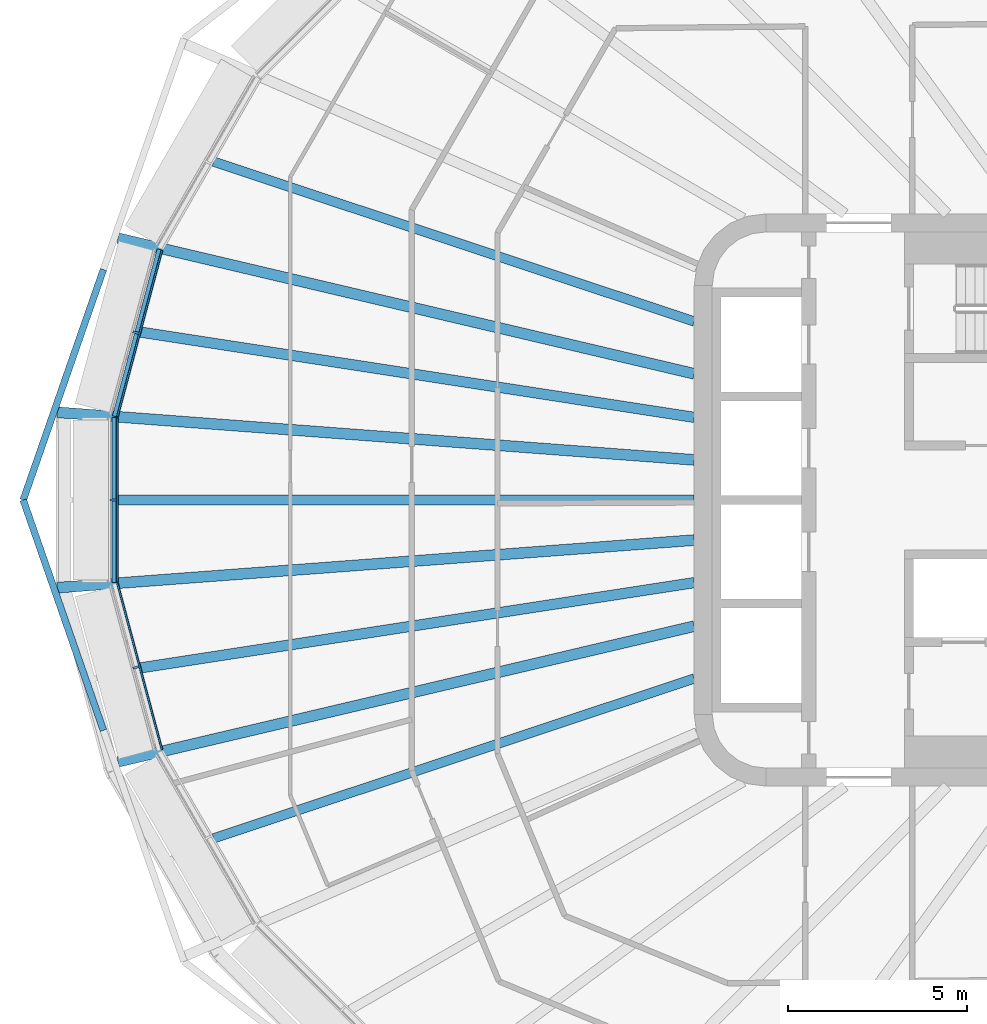
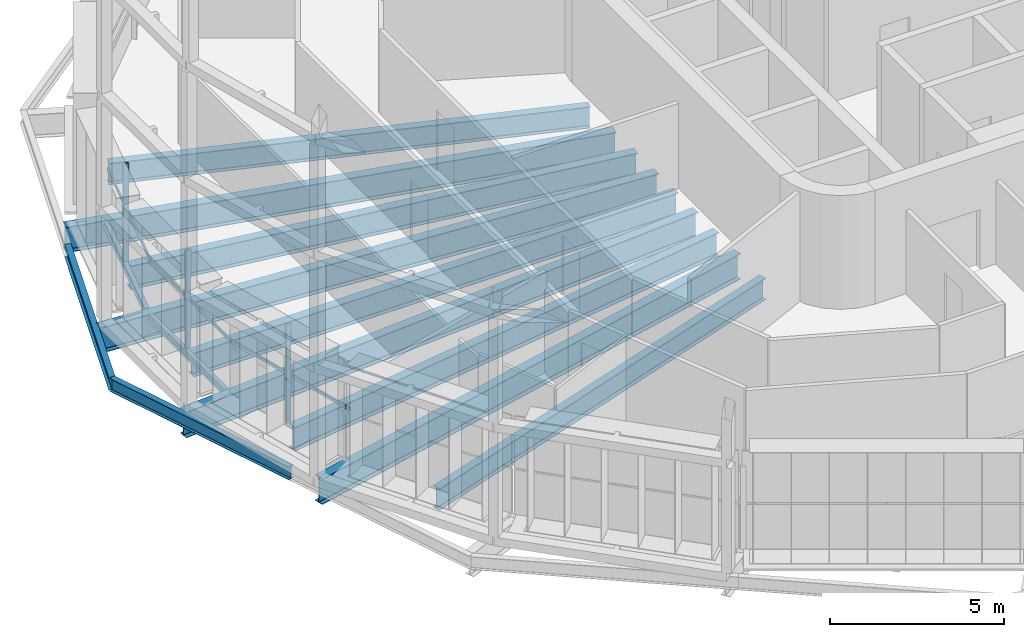
# One storey, part 3 of 24: 13 beams, 6 members, 3 elements without a shape of their own.
"""IFC4 building model written with IfcOpenShell, lengths in metres."""

from ifc_helpers import new_model, si_unit, direction, frame, origin, origin_2d, place, context, subcontext, project, spatial, rectangle, i_section, extrude, material, layer, layer_set, material_profile, profile_set, type_object, element, aggregate, save


model = new_model("IFC4")

# Units and contexts
model_context = context("Model", 3, precision=1e-05, world=origin(), true_north=direction((0.0, 1.0)))
body_context = subcontext(model_context, "Body", "Model", "MODEL_VIEW")
ifc_project = project(units=[si_unit("LENGTHUNIT", "METRE"), si_unit("AREAUNIT", "SQUARE_METRE"), si_unit("VOLUMEUNIT", "CUBIC_METRE"), si_unit("PLANEANGLEUNIT", "RADIAN"), si_unit("MASSUNIT", "GRAM", prefix="KILO")], contexts=[model_context])

# Site, building, storey
site_placement = place(None, origin())
site = spatial("IfcSite", under=ifc_project, at=site_placement, CompositionType="ELEMENT")
building_placement = place(site_placement, origin())
building = spatial("IfcBuilding", under=site, at=building_placement, Name="Sahrelin Media Tower", CompositionType="ELEMENT")
storey_placement = place(building_placement, frame((0.0, 0.0, 153.60009765625)))
storey = spatial("IfcBuildingStorey", under=building, at=storey_placement, Name="L31", CompositionType="ELEMENT", Elevation=153.60009765625)

# Beams
ifc_material_1 = material(Name="Steel S355", Category="steel")
ifc_material_profile_1 = material_profile(ifc_material_1, i_section(OverallWidth=0.14599609375, OverallDepth=0.25146484375, WebThickness=0.006103515625, FlangeThickness=0.008544921875, FilletRadius=0.007568359375, at=origin_2d()), Name="UB 254x146x31")
ifc_profile_set_1 = profile_set([ifc_material_profile_1], Name="Steel S355")
beam_type_1 = type_object("IfcBeamType", Name="Edge beam EB1", PredefinedType="BEAM", material=ifc_profile_set_1)
beam_1_placement = place(storey_placement, frame((-31.201416015625, -2.30859375, -0.27587890625), z_axis=(0.0, 1.0, 0.0), x_axis=(-1.0, 0.0, 0.0)))
element("IfcBeam", 1, at=beam_1_placement, inside=storey, type_object=beam_type_1, Name="Edge beam L31-13", PredefinedType="BEAM", context=body_context, shape_type="SweptSolid", body=[
    extrude(i_section(OverallWidth=0.14599609375, OverallDepth=0.25146484375, WebThickness=0.006103515625, FlangeThickness=0.008544921875, FilletRadius=0.007568359375, at=origin_2d()), origin(), (0.0, 0.0, 1.0), 4.6171875),
])
beam_2_placement = place(storey_placement, frame((-31.19775390625, 2.33740234375, -0.27587890625), z_axis=(0.258800908736, 0.965930685731, 0.0), x_axis=(-0.965930685731, 0.258800908736, 0.0)))
element("IfcBeam", 2, at=beam_2_placement, inside=storey, type_object=beam_type_1, Name="Edge beam L31-14", PredefinedType="BEAM", context=body_context, shape_type="SweptSolid", body=[
    extrude(i_section(OverallWidth=0.14599609375, OverallDepth=0.25146484375, WebThickness=0.006103515625, FlangeThickness=0.008544921875, FilletRadius=0.007568359375, at=origin_2d()), origin(), (0.0, 0.0, 1.0), 4.831787109375),
])

# Curtain wall, member
ifc_material_2 = material(Name="Champagne anodised aluminium 6063-T6", Category="aluminium")
ifc_layer = layer(ifc_material_2, 0.14990234375)
ifc_layer_set = layer_set([ifc_layer], Name="Tower ribbon curtain wall")
curtain_wall_type = type_object("IfcCurtainWallType", Name="Tower ribbon curtain wall", PredefinedType="NOTDEFINED", material=ifc_layer_set)
curtain_wall_1_placement = place(storey_placement, frame((-30.71728515625, 4.709716796875, 0.0), z_axis=(0.0, 0.0, 1.0), x_axis=(1.0, 0.0, 0.0)))
curtain_wall_1 = element("IfcCurtainWall", 3, at=curtain_wall_1_placement, inside=storey, type_object=curtain_wall_type, Name="L31:CW:L31-11", PredefinedType="NOTDEFINED")
ifc_material_profile_2 = material_profile(ifc_material_2, rectangle(XDim=0.06005859375, YDim=0.175048828125, at=origin_2d()), Name="Mullion 60x175")
ifc_profile_set_2 = profile_set([ifc_material_profile_2], Name="Champagne anodised aluminium 6063-T6")
member_type_1 = type_object("IfcMemberType", Name="Mullion 60x175 CW1B", PredefinedType="MULLION", material=ifc_profile_set_2)
member_1_placement = place(storey_placement, frame((-30.613525390625, 4.681884765625, 0.0), z_axis=(0.0, 0.0, 1.0), x_axis=(-0.258807244073, -0.965928988288, 0.0)))
member_1 = element("IfcMember", 4, at=member_1_placement, type_object=member_type_1, Name="L31:CWM:L31-11", PredefinedType="MULLION", context=body_context, shape_type="SweptSolid", body=[
    extrude(rectangle(XDim=0.06005859375, YDim=0.175048828125, at=origin_2d()), origin(), (0.0, 0.0, 1.0), 3.448486328125),
])

curtain_wall_2_placement = place(storey_placement, frame((-31.3515625, 0.0, 0.0), z_axis=(0.0, 0.0, 1.0), x_axis=(1.0, 0.0, 0.0)))
curtain_wall_2 = element("IfcCurtainWall", 5, at=curtain_wall_2_placement, inside=storey, type_object=curtain_wall_type, Name="L31:CW:L31-12", PredefinedType="NOTDEFINED")
member_2_placement = place(storey_placement, frame((-31.243896484375, 0.0, 0.0), z_axis=(0.0, 0.0, 1.0), x_axis=(0.0, -1.0, 0.0)))
member_2 = element("IfcMember", 6, at=member_2_placement, type_object=member_type_1, Name="L31:CWM:L31-12", PredefinedType="MULLION", context=body_context, shape_type="SweptSolid", body=[
    extrude(rectangle(XDim=0.06005859375, YDim=0.175048828125, at=origin_2d()), origin(), (0.0, 0.0, 1.0), 3.448486328125),
])

curtain_wall_3_placement = place(storey_placement, frame((-30.71728515625, -4.709716796875, 0.0), z_axis=(0.0, 0.0, 1.0), x_axis=(1.0, 0.0, 0.0)))
curtain_wall_3 = element("IfcCurtainWall", 7, at=curtain_wall_3_placement, inside=storey, type_object=curtain_wall_type, Name="L31:CW:L31-13", PredefinedType="NOTDEFINED")
member_3_placement = place(storey_placement, frame((-30.613525390625, -4.681884765625, 0.0), z_axis=(0.0, 0.0, 1.0), x_axis=(0.258807244073, -0.965928988288, 0.0)))
member_3 = element("IfcMember", 8, at=member_3_placement, type_object=member_type_1, Name="L31:CWM:L31-13", PredefinedType="MULLION", context=body_context, shape_type="SweptSolid", body=[
    extrude(rectangle(XDim=0.06005859375, YDim=0.175048828125, at=origin_2d()), origin(), (0.0, 0.0, 1.0), 3.448486328125),
])

# Beams
ifc_material_profile_3 = material_profile(ifc_material_1, i_section(OverallWidth=0.30322265625, OverallDepth=0.903076171875, WebThickness=0.01513671875, FlangeThickness=0.020263671875, FilletRadius=0.01904296875, at=origin_2d()), Name="UB 914x305x201")
ifc_profile_set_3 = profile_set([ifc_material_profile_3], Name="Steel S355")
beam_type_2 = type_object("IfcBeamType", Name="Radial primary beam PB11", PredefinedType="BEAM", material=ifc_profile_set_3)
beam_3_placement = place(storey_placement, frame((-15.0, 3.528564453125, -0.6015625), z_axis=(-0.973430706037, 0.228981790857, 0.0), x_axis=(-0.228981790857, -0.973430706037, 0.0)))
element("IfcBeam", 9, at=beam_3_placement, inside=storey, type_object=beam_type_2, Name="Radial beam L31-11", PredefinedType="BEAM", context=body_context, shape_type="SweptSolid", body=[
    extrude(i_section(OverallWidth=0.30322265625, OverallDepth=0.903076171875, WebThickness=0.01513671875, FlangeThickness=0.020263671875, FilletRadius=0.01904296875, at=origin_2d()), origin(), (0.0, 0.0, 1.0), 16.553955078125),
])
for number, where, z_axis, x_axis, name in (
    (10, (-15.0, 1.12109375, -0.6015625), (-0.997219385558, 0.074521789215, 0.0), (-0.074521789215, -0.997219385558, 0.0), "Radial beam L31-12"),
    (11, (-15.0, -1.12109375, -0.6015625), (-0.997219385558, -0.074521789215, 0.0), (0.074521789215, -0.997219385558, 0.0), "Radial beam L31-13"),
):
    element("IfcBeam", number, at=place(storey_placement, frame(where, z_axis=z_axis, x_axis=x_axis)), inside=storey, type_object=beam_type_2, Name=name, PredefinedType="BEAM", context=body_context, shape_type="SweptSolid", body=[
        extrude(i_section(OverallWidth=0.30322265625, OverallDepth=0.903076171875, WebThickness=0.01513671875, FlangeThickness=0.020263671875, FilletRadius=0.01904296875, at=origin_2d()), origin(), (0.0, 0.0, 1.0), 17.85791015625),
    ])
beam_4_placement = place(storey_placement, frame((-15.0, -3.528564453125, -0.6015625), z_axis=(-0.973430706037, -0.228981790857, 0.0), x_axis=(0.228981790857, -0.973430706037, 0.0)))
element("IfcBeam", 12, at=beam_4_placement, inside=storey, type_object=beam_type_2, Name="Radial beam L31-14", PredefinedType="BEAM", context=body_context, shape_type="SweptSolid", body=[
    extrude(i_section(OverallWidth=0.30322265625, OverallDepth=0.903076171875, WebThickness=0.01513671875, FlangeThickness=0.020263671875, FilletRadius=0.01904296875, at=origin_2d()), origin(), (0.0, 0.0, 1.0), 16.553955078125),
])
ifc_material_profile_4 = material_profile(ifc_material_1, i_section(OverallWidth=0.291748046875, OverallDepth=0.8349609375, WebThickness=0.013916015625, FlangeThickness=0.018798828125, FilletRadius=0.017822265625, at=origin_2d()), Name="UB 838x292x176")
ifc_profile_set_4 = profile_set([ifc_material_profile_4], Name="Steel S355")
beam_type_3 = type_object("IfcBeamType", Name="Radial secondary beam SB10", PredefinedType="BEAM", material=ifc_profile_set_4)
beam_5_placement = place(storey_placement, frame((-15.0, 2.310302734375, -0.567626953125), z_axis=(-0.988348454864, 0.152208185611, 0.0), x_axis=(-0.152208185611, -0.988348454864, 0.0)))
element("IfcBeam", 13, at=beam_5_placement, inside=storey, type_object=beam_type_3, Name="Secondary beam L31-11", PredefinedType="BEAM", context=body_context, shape_type="SweptSolid", body=[
    extrude(i_section(OverallWidth=0.291748046875, OverallDepth=0.8349609375, WebThickness=0.013916015625, FlangeThickness=0.018798828125, FilletRadius=0.017822265625, at=origin_2d()), origin(), (0.0, 0.0, 1.0), 15.672607421875),
])
beam_6_placement = place(storey_placement, frame((-15.0, 0.0, -0.567626953125), z_axis=(-1.0, 0.0, 0.0), x_axis=(0.0, -1.0, 0.0)))
element("IfcBeam", 14, at=beam_6_placement, inside=storey, type_object=beam_type_3, Name="Secondary beam L31-12", PredefinedType="BEAM", context=body_context, shape_type="SweptSolid", body=[
    extrude(i_section(OverallWidth=0.291748046875, OverallDepth=0.8349609375, WebThickness=0.013916015625, FlangeThickness=0.018798828125, FilletRadius=0.017822265625, at=origin_2d()), origin(), (0.0, 0.0, 1.0), 16.12841796875),
])
beam_7_placement = place(storey_placement, frame((-15.0, -2.310302734375, -0.567626953125), z_axis=(-0.988348454864, -0.152208185611, 0.0), x_axis=(0.152208185611, -0.988348454864, 0.0)))
element("IfcBeam", 15, at=beam_7_placement, inside=storey, type_object=beam_type_3, Name="Secondary beam L31-13", PredefinedType="BEAM", context=body_context, shape_type="SweptSolid", body=[
    extrude(i_section(OverallWidth=0.291748046875, OverallDepth=0.8349609375, WebThickness=0.013916015625, FlangeThickness=0.018798828125, FilletRadius=0.017822265625, at=origin_2d()), origin(), (0.0, 0.0, 1.0), 15.672607421875),
])
ifc_material_profile_5 = material_profile(ifc_material_1, i_section(OverallWidth=0.26513671875, OverallDepth=0.75390625, WebThickness=0.0126953125, FlangeThickness=0.017578125, FilletRadius=0.0166015625, at=origin_2d()), Name="UB 762x267x147")
ifc_profile_set_5 = profile_set([ifc_material_profile_5], Name="Steel S355")
beam_type_4 = type_object("IfcBeamType", Name="Radial secondary beam SB9", PredefinedType="BEAM", material=ifc_profile_set_5)
for number, where, z_axis, x_axis, name in (
    (16, (-15.0, 4.990234375, -0.527099609375), (-0.948867590332, 0.315674351219, 0.0), (-0.315674351219, -0.948867590332, 0.0), "Secondary beam L31-10"),
    (17, (-15.0, -4.990234375, -0.527099609375), (-0.948867590332, -0.315674351219, 0.0), (0.315674351219, -0.948867590332, 0.0), "Secondary beam L31-14"),
):
    element("IfcBeam", number, at=place(storey_placement, frame(where, z_axis=z_axis, x_axis=x_axis)), inside=storey, type_object=beam_type_4, Name=name, PredefinedType="BEAM", context=body_context, shape_type="SweptSolid", body=[
        extrude(i_section(OverallWidth=0.26513671875, OverallDepth=0.75390625, WebThickness=0.0126953125, FlangeThickness=0.017578125, FilletRadius=0.0166015625, at=origin_2d()), origin(), (0.0, 0.0, 1.0), 14.162353515625),
    ])
ifc_material_profile_6 = material_profile(ifc_material_1, i_section(OverallWidth=0.1904296875, OverallDepth=0.45703125, WebThickness=0.009033203125, FlangeThickness=0.014404296875, FilletRadius=0.01025390625, at=origin_2d()), Name="UB 457x191x74")
ifc_profile_set_6 = profile_set([ifc_material_profile_6], Name="Steel S355")
beam_type_5 = type_object("IfcBeamType", Name="Tie chord TC5", PredefinedType="BEAM", material=ifc_profile_set_6)
for number, where, z_axis, x_axis, name in (
    (18, (-31.520263671875, -6.44140625, -0.378662109375), (-0.328806602254, 0.944397277799, 0.0), (-0.944397277799, -0.328806602254, 0.0), "Tie chord L31-10"),
    (19, (-33.762939453125, 0.0, -0.378662109375), (0.328806602254, 0.944397277799, 0.0), (-0.944397277799, 0.328806602254, 0.0), "Tie chord L31-11"),
):
    element("IfcBeam", number, at=place(storey_placement, frame(where, z_axis=z_axis, x_axis=x_axis)), inside=storey, type_object=beam_type_5, Name=name, PredefinedType="BEAM", context=body_context, shape_type="SweptSolid", body=[
        extrude(i_section(OverallWidth=0.1904296875, OverallDepth=0.45703125, WebThickness=0.009033203125, FlangeThickness=0.014404296875, FilletRadius=0.01025390625, at=origin_2d()), origin(), (0.0, 0.0, 1.0), 6.820556640625),
    ])

# Member
ifc_material_profile_7 = material_profile(ifc_material_2, rectangle(XDim=0.050048828125, YDim=0.110107421875, at=origin_2d()), Name="Transom 50x110")
ifc_profile_set_7 = profile_set([ifc_material_profile_7], Name="Champagne anodised aluminium 6063-T6")
member_type_2 = type_object("IfcMemberType", Name="Transom 50x110 CW1B", PredefinedType="USERDEFINED", material=ifc_profile_set_7)
member_4_placement = place(storey_placement, frame((-29.883544921875, 6.971435546875, 1.599853515625), z_axis=(-0.25885894947, -0.965915133063, 0.0), x_axis=(0.965915133063, -0.25885894947, 0.0)))
member_4 = element("IfcMember", 20, at=member_4_placement, type_object=member_type_2, Name="L31:CWT:L31-11", ObjectType="TRANSOM", PredefinedType="USERDEFINED", context=body_context, shape_type="SweptSolid", body=[
    extrude(rectangle(XDim=0.050048828125, YDim=0.110107421875, at=origin_2d()), origin(), (0.0, 0.0, 1.0), 4.800537109375),
])

aggregate(curtain_wall_1, [member_1, member_4])

member_5_placement = place(storey_placement, frame((-31.131591796875, 2.29296875, 1.599853515625), z_axis=(0.0, -1.0, 0.0), x_axis=(1.0, 0.0, 0.0)))
member_5 = element("IfcMember", 21, at=member_5_placement, type_object=member_type_2, Name="L31:CWT:L31-12", ObjectType="TRANSOM", PredefinedType="USERDEFINED", context=body_context, shape_type="SweptSolid", body=[
    extrude(rectangle(XDim=0.050048828125, YDim=0.110107421875, at=origin_2d()), origin(), (0.0, 0.0, 1.0), 4.5859375),
])

aggregate(curtain_wall_2, [member_2, member_5])

member_6_placement = place(storey_placement, frame((-31.126220703125, -2.33447265625, 1.599853515625), z_axis=(0.25885894947, -0.965915133063, 0.0), x_axis=(0.965915133063, 0.25885894947, 0.0)))
member_6 = element("IfcMember", 22, at=member_6_placement, type_object=member_type_2, Name="L31:CWT:L31-13", ObjectType="TRANSOM", PredefinedType="USERDEFINED", context=body_context, shape_type="SweptSolid", body=[
    extrude(rectangle(XDim=0.050048828125, YDim=0.110107421875, at=origin_2d()), origin(), (0.0, 0.0, 1.0), 4.800537109375),
])

aggregate(curtain_wall_3, [member_3, member_6])

save(model, "model.ifc")
